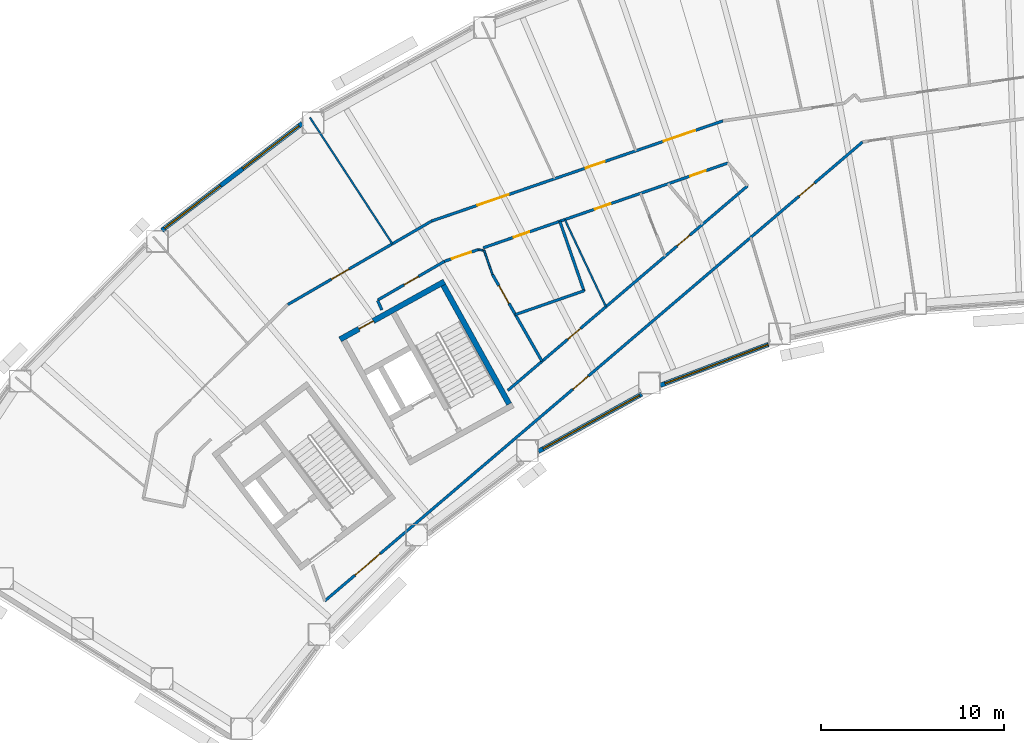
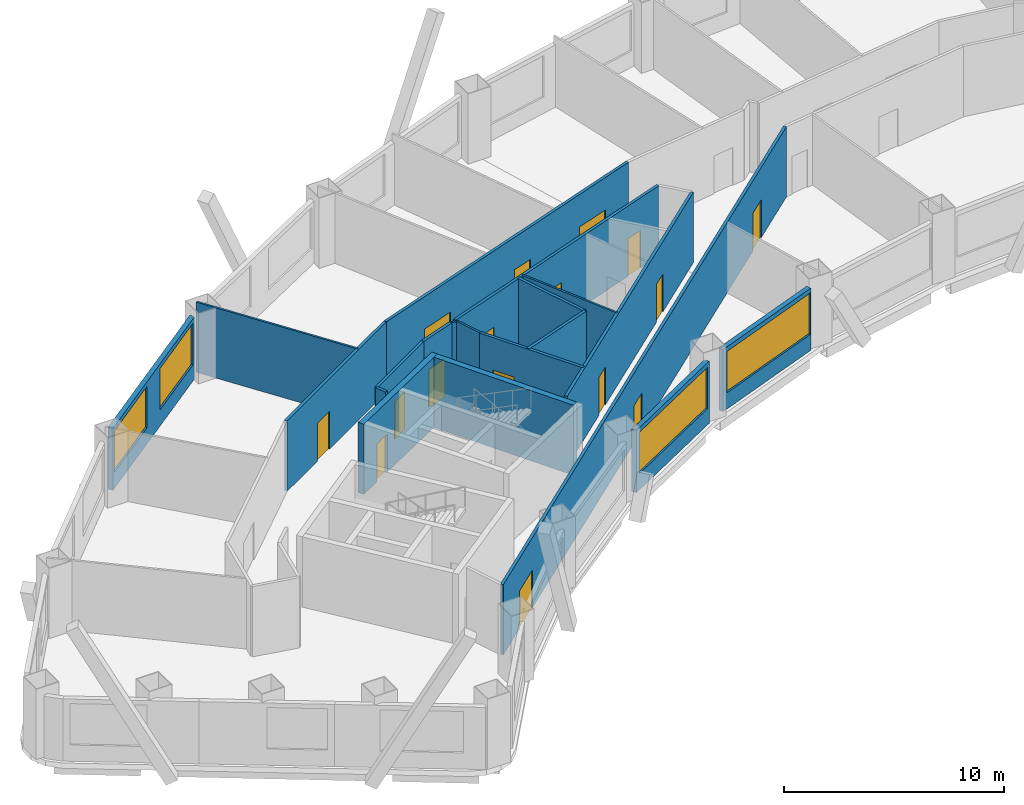
# One storey, part 4 of 12: 20 walls, 16 doors, 4 windows, 20 openings.
"""IFC4 building model written with IfcOpenShell, lengths in metres."""

from ifc_helpers import new_model, si_unit, direction, frame, frame_2d, origin, place, context, subcontext, project, spatial, rectangle, extrude, material, layer, layer_set, type_object, element, fill, save


model = new_model("IFC4")

# Units and contexts
model_context = context("Model", 3, precision=1e-05, world=origin(), true_north=direction((0.0, 1.0)))
body_context = subcontext(model_context, "Body", "Model", "MODEL_VIEW")
ifc_project = project(units=[si_unit("LENGTHUNIT", "METRE"), si_unit("AREAUNIT", "SQUARE_METRE"), si_unit("VOLUMEUNIT", "CUBIC_METRE"), si_unit("PLANEANGLEUNIT", "RADIAN"), si_unit("MASSUNIT", "GRAM", prefix="KILO")], contexts=[model_context])

# Site, building, storey
site_placement = place(None, origin())
site = spatial("IfcSite", under=ifc_project, at=site_placement, CompositionType="ELEMENT")
building_placement = place(site_placement, origin())
building = spatial("IfcBuilding", under=site, at=building_placement, Name="Tuul Gate Civic Tower", CompositionType="ELEMENT")
storey_placement = place(building_placement, frame((0.0, 0.0, 73.800048828125)))
storey = spatial("IfcBuildingStorey", under=building, at=storey_placement, Name="Level 16", CompositionType="ELEMENT", Elevation=73.800048828125)

# Wall, opening, door
ifc_material_1 = material(Name="Concrete C50/60", Category="concrete")
ifc_layer_1 = layer(ifc_material_1, 0.300048828125)
ifc_layer_set_1 = layer_set([ifc_layer_1], Name="Concrete C50/60")
wall_type_1 = type_object("IfcWallType", Name="Core wall C50/60", PredefinedType="SHEAR", material=ifc_layer_set_1)
wall_1_placement = place(storey_placement, frame((-28.4443359375, -1.98095703125, 0.0), z_axis=(0.0, 0.0, 1.0), x_axis=(-0.874629909008, -0.484791215132, 0.0)))
wall_1 = element("IfcWall", 1, at=wall_1_placement, inside=storey, type_object=wall_type_1, Name="Core wall", PredefinedType="SHEAR", context=body_context, shape_type="SweptSolid", body=[
    extrude(rectangle(XDim=6.5, YDim=0.300048828125, at=frame_2d((3.25, 0.0))), origin(), (0.0, 0.0, 1.0), 3.89990234375),
])
opening_1_placement = place(wall_1_placement, frame((4.425048828125, 0.0, 0.0)))
opening_1 = element("IfcOpeningElement", 2, at=opening_1_placement, cuts=wall_1, Name="Opening E-D37", PredefinedType="OPENING", context=body_context, shape_type="SweptSolid", body=[
    extrude(rectangle(XDim=0.89990234375, YDim=2.10009765625, at=frame_2d((0.449951171875, 1.050048828125))), frame((0.0, 0.16015625, 0.0), z_axis=(0.0, -1.0, 0.0), x_axis=(1.0, 0.0, 0.0)), (0.0, 0.0, 1.0), 0.320068359375),
])
ifc_material_2 = material(Name="Timber door leaf", Category="wood")
door_type_1 = type_object("IfcDoorType", Name="Door D09", OperationType="NOTDEFINED", PredefinedType="DOOR", material=ifc_material_2)
door_1_placement = place(opening_1_placement, origin())
door_1 = element("IfcDoor", 3, at=door_1_placement, inside=storey, type_object=door_type_1, Name="Door E-D37", OperationType="SINGLE_SWING_LEFT", OverallHeight=2.10009765625, OverallWidth=0.89990234375, PredefinedType="DOOR", context=body_context, shape_type="SweptSolid", body=[
    extrude(rectangle(XDim=0.89990234375, YDim=2.10009765625, at=frame_2d((0.449951171875, 1.050048828125))), frame((0.0, 0.02490234375, 0.0), z_axis=(0.0, -1.0, 0.0), x_axis=(1.0, 0.0, 0.0)), (0.0, 0.0, 1.0), 0.050048828125),
])
fill(opening_1, door_1)

# Wall
wall_2_placement = place(storey_placement, frame((-24.91552734375, -8.6572265625, 0.0), z_axis=(0.0, 0.0, 1.0), x_axis=(-0.484777133038, 0.874637714304, 0.0)))
element("IfcWall", 4, at=wall_2_placement, inside=storey, type_object=wall_type_1, Name="Core wall", PredefinedType="SHEAR", context=body_context, shape_type="SweptSolid", body=[
    extrude(rectangle(XDim=7.400146484375, YDim=0.300048828125, at=frame_2d((3.7001953125, 0.0))), origin(), (0.0, 0.0, 1.0), 3.89990234375),
])

# Wall, openings, doors
ifc_material_3 = material(Name="Gypsum board partition")
ifc_layer_2 = layer(ifc_material_3, 0.14990234375)
ifc_layer_set_2 = layer_set([ifc_layer_2], Name="Gypsum board partition")
wall_type_2 = type_object("IfcWallType", Name="Corridor wall P150", PredefinedType="PARTITIONING", material=ifc_layer_set_2)
wall_3_placement = place(storey_placement, frame((-24.98388671875, -7.9140625, 0.0), z_axis=(0.0, 0.0, 1.0), x_axis=(0.76064807298, 0.649164469971, 0.0)))
wall_3 = element("IfcWall", 5, at=wall_3_placement, inside=storey, type_object=wall_type_2, Name="p032", PredefinedType="PARTITIONING", context=body_context, shape_type="SweptSolid", body=[
    extrude(rectangle(XDim=17.1689453125, YDim=0.14990234375, at=frame_2d((8.58447265625, 0.0))), origin(), (0.0, 0.0, 1.0), 3.89990234375),
])
opening_2_placement = place(wall_3_placement, frame((12.131591796875, 0.0, 0.0)))
opening_2 = element("IfcOpeningElement", 6, at=opening_2_placement, cuts=wall_3, Name="Opening E-D27", PredefinedType="OPENING", context=body_context, shape_type="SweptSolid", body=[
    extrude(rectangle(XDim=0.89990234375, YDim=2.10009765625, at=frame_2d((0.449951171875, 1.050048828125))), frame((0.0, 0.0849609375, 0.0), z_axis=(0.0, -1.0, 0.0), x_axis=(1.0, 0.0, 0.0)), (0.0, 0.0, 1.0), 0.169921875),
])
opening_3_placement = place(wall_3_placement, frame((4.291748046875, 0.0, 0.0)))
opening_3 = element("IfcOpeningElement", 7, at=opening_3_placement, cuts=wall_3, Name="Opening E-D28", PredefinedType="OPENING", context=body_context, shape_type="SweptSolid", body=[
    extrude(rectangle(XDim=0.89990234375, YDim=2.10009765625, at=frame_2d((0.449951171875, 1.050048828125))), frame((0.0, 0.0849609375, 0.0), z_axis=(0.0, -1.0, 0.0), x_axis=(1.0, 0.0, 0.0)), (0.0, 0.0, 1.0), 0.169921875),
])
door_2_placement = place(opening_2_placement, origin())
door_2 = element("IfcDoor", 8, at=door_2_placement, inside=storey, type_object=door_type_1, Name="Door E-D27", OperationType="SINGLE_SWING_LEFT", OverallHeight=2.10009765625, OverallWidth=0.89990234375, PredefinedType="DOOR", context=body_context, shape_type="SweptSolid", body=[
    extrude(rectangle(XDim=0.89990234375, YDim=2.10009765625, at=frame_2d((0.449951171875, 1.050048828125))), frame((0.0, 0.02490234375, 0.0), z_axis=(0.0, -1.0, 0.0), x_axis=(1.0, 0.0, 0.0)), (0.0, 0.0, 1.0), 0.050048828125),
])
fill(opening_2, door_2)
door_3_placement = place(opening_3_placement, origin())
door_3 = element("IfcDoor", 9, at=door_3_placement, inside=storey, type_object=door_type_1, Name="Door E-D28", OperationType="SINGLE_SWING_RIGHT", OverallHeight=2.10009765625, OverallWidth=0.89990234375, PredefinedType="DOOR", context=body_context, shape_type="SweptSolid", body=[
    extrude(rectangle(XDim=0.89990234375, YDim=2.10009765625, at=frame_2d((0.449951171875, 1.050048828125))), frame((0.0, 0.02490234375, 0.0), z_axis=(0.0, -1.0, 0.0), x_axis=(1.0, 0.0, 0.0)), (0.0, 0.0, 1.0), 0.050048828125),
])
fill(opening_3, door_3)

wall_4_placement = place(storey_placement, frame((-29.138427734375, 1.318115234375, 0.0), z_axis=(0.0, 0.0, 1.0), x_axis=(0.945651374617, 0.325182222276, 0.0)))
wall_4 = element("IfcWall", 10, at=wall_4_placement, inside=storey, type_object=wall_type_2, Name="p035", PredefinedType="PARTITIONING", context=body_context, shape_type="SweptSolid", body=[
    extrude(rectangle(XDim=16.7822265625, YDim=0.14990234375, at=frame_2d((8.39111328125, 0.0))), origin(), (0.0, 0.0, 1.0), 3.89990234375),
])
opening_4_placement = place(wall_4_placement, frame((13.3759765625, 0.0, 0.0)))
opening_4 = element("IfcOpeningElement", 11, at=opening_4_placement, cuts=wall_4, Name="Opening E-D10", PredefinedType="OPENING", context=body_context, shape_type="SweptSolid", body=[
    extrude(rectangle(XDim=1.800048828125, YDim=2.10009765625, at=frame_2d((0.89990234375, 1.050048828125))), frame((0.0, 0.0849609375, 0.0), z_axis=(0.0, -1.0, 0.0), x_axis=(1.0, 0.0, 0.0)), (0.0, 0.0, 1.0), 0.169921875),
])
opening_5_placement = place(wall_4_placement, frame((8.877197265625, 0.0, 0.0)))
opening_5 = element("IfcOpeningElement", 12, at=opening_5_placement, cuts=wall_4, Name="Opening E-D11", PredefinedType="OPENING", context=body_context, shape_type="SweptSolid", body=[
    extrude(rectangle(XDim=1.10009765625, YDim=2.10009765625, at=frame_2d((0.550048828125, 1.050048828125))), frame((0.0, 0.0849609375, 0.0), z_axis=(0.0, -1.0, 0.0), x_axis=(1.0, 0.0, 0.0)), (0.0, 0.0, 1.0), 0.169921875),
])
opening_6_placement = place(wall_4_placement, frame((2.642333984375, 0.0, 0.0)))
opening_6 = element("IfcOpeningElement", 13, at=opening_6_placement, cuts=wall_4, Name="Opening E-D12", PredefinedType="OPENING", context=body_context, shape_type="SweptSolid", body=[
    extrude(rectangle(XDim=1.800048828125, YDim=2.10009765625, at=frame_2d((0.89990234375, 1.050048828125))), frame((0.0, 0.0849609375, 0.0), z_axis=(0.0, -1.0, 0.0), x_axis=(1.0, 0.0, 0.0)), (0.0, 0.0, 1.0), 0.169921875),
])
ifc_material_4 = material(Name="Timber door leaf", Category="wood")
door_type_2 = type_object("IfcDoorType", Name="Door D11", OperationType="NOTDEFINED", PredefinedType="DOOR", material=ifc_material_4)
door_4_placement = place(opening_5_placement, origin())
door_4 = element("IfcDoor", 14, at=door_4_placement, inside=storey, type_object=door_type_2, Name="Door E-D11", OperationType="SINGLE_SWING_RIGHT", OverallHeight=2.10009765625, OverallWidth=1.10009765625, PredefinedType="DOOR", context=body_context, shape_type="SweptSolid", body=[
    extrude(rectangle(XDim=1.10009765625, YDim=2.10009765625, at=frame_2d((0.550048828125, 1.050048828125))), frame((0.0, 0.02490234375, 0.0), z_axis=(0.0, -1.0, 0.0), x_axis=(1.0, 0.0, 0.0)), (0.0, 0.0, 1.0), 0.050048828125),
])
fill(opening_5, door_4)
ifc_material_5 = material(Name="Timber door leaf, double", Category="wood")
door_type_3 = type_object("IfcDoorType", Name="Door D18", OperationType="DOUBLE_DOOR_SINGLE_SWING", PredefinedType="DOOR", material=ifc_material_5)
door_5_placement = place(opening_4_placement, origin())
door_5 = element("IfcDoor", 15, at=door_5_placement, inside=storey, type_object=door_type_3, Name="Door E-D10", OperationType="DOUBLE_DOOR_SINGLE_SWING", OverallHeight=2.10009765625, OverallWidth=1.800048828125, PredefinedType="DOOR", context=body_context, shape_type="SweptSolid", body=[
    extrude(rectangle(XDim=1.800048828125, YDim=2.10009765625, at=frame_2d((0.89990234375, 1.050048828125))), frame((0.0, 0.02490234375, 0.0), z_axis=(0.0, -1.0, 0.0), x_axis=(1.0, 0.0, 0.0)), (0.0, 0.0, 1.0), 0.050048828125),
])
fill(opening_4, door_5)
door_6_placement = place(opening_6_placement, origin())
door_6 = element("IfcDoor", 16, at=door_6_placement, inside=storey, type_object=door_type_3, Name="Door E-D12", OperationType="DOUBLE_DOOR_SINGLE_SWING", OverallHeight=2.10009765625, OverallWidth=1.800048828125, PredefinedType="DOOR", context=body_context, shape_type="SweptSolid", body=[
    extrude(rectangle(XDim=1.800048828125, YDim=2.10009765625, at=frame_2d((0.89990234375, 1.050048828125))), frame((0.0, 0.02490234375, 0.0), z_axis=(0.0, -1.0, 0.0), x_axis=(1.0, 0.0, 0.0)), (0.0, 0.0, 1.0), 0.050048828125),
])
fill(opening_6, door_6)

# Wall, opening, door
wall_5_placement = place(storey_placement, frame((-36.976806640625, -3.2333984375, 0.0), z_axis=(0.0, 0.0, 1.0), x_axis=(0.864782531792, 0.502146564967, 0.0)))
wall_5 = element("IfcWall", 17, at=wall_5_placement, inside=storey, type_object=wall_type_2, Name="p038", PredefinedType="PARTITIONING", context=body_context, shape_type="SweptSolid", body=[
    extrude(rectangle(XDim=9.063232421875, YDim=0.14990234375, at=frame_2d((4.53173828125, 0.0))), origin(), (0.0, 0.0, 1.0), 3.89990234375),
])
opening_7_placement = place(wall_5_placement, frame((2.744384765625, 0.0, 0.0)))
opening_7 = element("IfcOpeningElement", 18, at=opening_7_placement, cuts=wall_5, Name="Opening E-D13", PredefinedType="OPENING", context=body_context, shape_type="SweptSolid", body=[
    extrude(rectangle(XDim=1.10009765625, YDim=2.10009765625, at=frame_2d((0.550048828125, 1.050048828125))), frame((0.0, 0.0849609375, 0.0), z_axis=(0.0, -1.0, 0.0), x_axis=(1.0, 0.0, 0.0)), (0.0, 0.0, 1.0), 0.169921875),
])
door_7_placement = place(opening_7_placement, origin())
door_7 = element("IfcDoor", 19, at=door_7_placement, inside=storey, type_object=door_type_2, Name="Door E-D13", OperationType="SINGLE_SWING_RIGHT", OverallHeight=2.10009765625, OverallWidth=1.10009765625, PredefinedType="DOOR", context=body_context, shape_type="SweptSolid", body=[
    extrude(rectangle(XDim=1.10009765625, YDim=2.10009765625, at=frame_2d((0.550048828125, 1.050048828125))), frame((0.0, 0.02490234375, 0.0), z_axis=(0.0, -1.0, 0.0), x_axis=(1.0, 0.0, 0.0)), (0.0, 0.0, 1.0), 0.050048828125),
])
fill(opening_7, door_7)

# Wall, openings, doors
wall_6_placement = place(storey_placement, frame((-34.96142578125, -19.38720703125, 0.0), z_axis=(0.0, 0.0, 1.0), x_axis=(0.760648138959, 0.649164392661, 0.0)))
wall_6 = element("IfcWall", 20, at=wall_6_placement, inside=storey, type_object=wall_type_2, Name="p053", PredefinedType="PARTITIONING", context=body_context, shape_type="SweptSolid", body=[
    extrude(rectangle(XDim=38.529541015625, YDim=0.14990234375, at=frame_2d((19.2646484375, 0.0))), origin(), (0.0, 0.0, 1.0), 3.89990234375),
])
opening_8_placement = place(wall_6_placement, frame((33.977294921875, 0.0, 0.0)))
opening_8 = element("IfcOpeningElement", 21, at=opening_8_placement, cuts=wall_6, Name="Opening E-D17", PredefinedType="OPENING", context=body_context, shape_type="SweptSolid", body=[
    extrude(rectangle(XDim=1.10009765625, YDim=2.10009765625, at=frame_2d((0.550048828125, 1.050048828125))), frame((0.0, 0.0849609375, 0.0), z_axis=(0.0, -1.0, 0.0), x_axis=(1.0, 0.0, 0.0)), (0.0, 0.0, 1.0), 0.169921875),
])
opening_9_placement = place(wall_6_placement, frame((17.776611328125, 0.0, 0.0)))
opening_9 = element("IfcOpeningElement", 22, at=opening_9_placement, cuts=wall_6, Name="Opening E-D18", PredefinedType="OPENING", context=body_context, shape_type="SweptSolid", body=[
    extrude(rectangle(XDim=1.10009765625, YDim=2.10009765625, at=frame_2d((0.550048828125, 1.050048828125))), frame((0.0, 0.0849609375, 0.0), z_axis=(0.0, -1.0, 0.0), x_axis=(1.0, 0.0, 0.0)), (0.0, 0.0, 1.0), 0.169921875),
])
opening_10_placement = place(wall_6_placement, frame((2.1640625, 0.0, 0.0)))
opening_10 = element("IfcOpeningElement", 23, at=opening_10_placement, cuts=wall_6, Name="Opening E-D19", PredefinedType="OPENING", context=body_context, shape_type="SweptSolid", body=[
    extrude(rectangle(XDim=1.800048828125, YDim=2.10009765625, at=frame_2d((0.89990234375, 1.050048828125))), frame((0.0, 0.0849609375, 0.0), z_axis=(0.0, -1.0, 0.0), x_axis=(1.0, 0.0, 0.0)), (0.0, 0.0, 1.0), 0.169921875),
])
door_8_placement = place(opening_8_placement, frame((1.10009765625, 0.0, 0.0), z_axis=(0.0, 0.0, 1.0), x_axis=(-1.0, 0.0, 0.0)))
door_8 = element("IfcDoor", 24, at=door_8_placement, inside=storey, type_object=door_type_2, Name="Door E-D17", OperationType="SINGLE_SWING_LEFT", OverallHeight=2.10009765625, OverallWidth=1.10009765625, PredefinedType="DOOR", context=body_context, shape_type="SweptSolid", body=[
    extrude(rectangle(XDim=1.10009765625, YDim=2.10009765625, at=frame_2d((0.550048828125, 1.050048828125))), frame((0.0, 0.02490234375, 0.0), z_axis=(0.0, -1.0, 0.0), x_axis=(1.0, 0.0, 0.0)), (0.0, 0.0, 1.0), 0.050048828125),
])
fill(opening_8, door_8)
door_9_placement = place(opening_9_placement, frame((1.10009765625, 0.0, 0.0), z_axis=(0.0, 0.0, 1.0), x_axis=(-1.0, 0.0, 0.0)))
door_9 = element("IfcDoor", 25, at=door_9_placement, inside=storey, type_object=door_type_2, Name="Door E-D18", OperationType="SINGLE_SWING_LEFT", OverallHeight=2.10009765625, OverallWidth=1.10009765625, PredefinedType="DOOR", context=body_context, shape_type="SweptSolid", body=[
    extrude(rectangle(XDim=1.10009765625, YDim=2.10009765625, at=frame_2d((0.550048828125, 1.050048828125))), frame((0.0, 0.02490234375, 0.0), z_axis=(0.0, -1.0, 0.0), x_axis=(1.0, 0.0, 0.0)), (0.0, 0.0, 1.0), 0.050048828125),
])
fill(opening_9, door_9)
door_10_placement = place(opening_10_placement, frame((1.800048828125, 0.0, 0.0), z_axis=(0.0, 0.0, 1.0), x_axis=(-1.0, 0.0, 0.0)))
door_10 = element("IfcDoor", 26, at=door_10_placement, inside=storey, type_object=door_type_3, Name="Door E-D19", OperationType="DOUBLE_DOOR_SINGLE_SWING", OverallHeight=2.10009765625, OverallWidth=1.800048828125, PredefinedType="DOOR", context=body_context, shape_type="SweptSolid", body=[
    extrude(rectangle(XDim=1.800048828125, YDim=2.10009765625, at=frame_2d((0.900146484375, 1.050048828125))), frame((0.0, 0.02490234375, 0.0), z_axis=(0.0, -1.0, 0.0), x_axis=(1.0, 0.0, 0.0)), (0.0, 0.0, 1.0), 0.050048828125),
])
fill(opening_10, door_10)

# Wall, opening, door
wall_7_placement = place(storey_placement, frame((-28.43408203125, -0.87451171875, 0.0), z_axis=(0.0, 0.0, 1.0), x_axis=(0.944764559764, 0.327749792698, 0.0)))
wall_7 = element("IfcWall", 27, at=wall_7_placement, inside=storey, type_object=wall_type_2, Name="p069", PredefinedType="PARTITIONING", context=body_context, shape_type="SweptSolid", body=[
    extrude(rectangle(XDim=1.941162109375, YDim=0.14990234375, at=frame_2d((0.970703125, 0.0))), origin(), (0.0, 0.0, 1.0), 3.89990234375),
])
opening_11_placement = place(wall_7_placement, frame((0.420654296875, 0.0, 0.0)))
opening_11 = element("IfcOpeningElement", 28, at=opening_11_placement, cuts=wall_7, Name="Opening E-D35", PredefinedType="OPENING", context=body_context, shape_type="SweptSolid", body=[
    extrude(rectangle(XDim=1.10009765625, YDim=2.10009765625, at=frame_2d((0.550048828125, 1.050048828125))), frame((0.0, 0.0849609375, 0.0), z_axis=(0.0, -1.0, 0.0), x_axis=(1.0, 0.0, 0.0)), (0.0, 0.0, 1.0), 0.169921875),
])
door_11_placement = place(opening_11_placement, frame((1.10009765625, 0.0, 0.0), z_axis=(0.0, 0.0, 1.0), x_axis=(-1.0, 0.0, 0.0)))
door_11 = element("IfcDoor", 29, at=door_11_placement, inside=storey, type_object=door_type_2, Name="Door E-D35", OperationType="SINGLE_SWING_LEFT", OverallHeight=2.10009765625, OverallWidth=1.10009765625, PredefinedType="DOOR", context=body_context, shape_type="SweptSolid", body=[
    extrude(rectangle(XDim=1.10009765625, YDim=2.10009765625, at=frame_2d((0.550048828125, 1.050048828125))), frame((0.0, 0.02490234375, 0.0), z_axis=(0.0, -1.0, 0.0), x_axis=(1.0, 0.0, 0.0)), (0.0, 0.0, 1.0), 0.050048828125),
])
fill(opening_11, door_11)

# Wall, openings, doors
wall_8_placement = place(storey_placement, frame((-26.32861328125, -0.144287109375, 0.0), z_axis=(0.0, 0.0, 1.0), x_axis=(0.944811790796, 0.327613613839, 0.0)))
wall_8 = element("IfcWall", 30, at=wall_8_placement, inside=storey, type_object=wall_type_2, Name="p070", PredefinedType="PARTITIONING", context=body_context, shape_type="SweptSolid", body=[
    extrude(rectangle(XDim=14.1171875, YDim=0.14990234375, at=frame_2d((7.05859375, 0.0))), origin(), (0.0, 0.0, 1.0), 3.89990234375),
])
opening_12_placement = place(wall_8_placement, frame((11.9384765625, 0.0, 0.0)))
opening_12 = element("IfcOpeningElement", 31, at=opening_12_placement, cuts=wall_8, Name="Opening E-D22", PredefinedType="OPENING", context=body_context, shape_type="SweptSolid", body=[
    extrude(rectangle(XDim=0.89990234375, YDim=2.10009765625, at=frame_2d((0.449951171875, 1.050048828125))), frame((0.0, 0.0849609375, 0.0), z_axis=(0.0, -1.0, 0.0), x_axis=(1.0, 0.0, 0.0)), (0.0, 0.0, 1.0), 0.169921875),
])
opening_13_placement = place(wall_8_placement, frame((6.44091796875, 0.0, 0.0)))
opening_13 = element("IfcOpeningElement", 32, at=opening_13_placement, cuts=wall_8, Name="Opening E-D23", PredefinedType="OPENING", context=body_context, shape_type="SweptSolid", body=[
    extrude(rectangle(XDim=0.89990234375, YDim=2.10009765625, at=frame_2d((0.449951171875, 1.050048828125))), frame((0.0, 0.0849609375, 0.0), z_axis=(0.0, -1.0, 0.0), x_axis=(1.0, 0.0, 0.0)), (0.0, 0.0, 1.0), 0.169921875),
])
opening_14_placement = place(wall_8_placement, frame((1.760009765625, 0.0, 0.0)))
opening_14 = element("IfcOpeningElement", 33, at=opening_14_placement, cuts=wall_8, Name="Opening E-D24", PredefinedType="OPENING", context=body_context, shape_type="SweptSolid", body=[
    extrude(rectangle(XDim=0.89990234375, YDim=2.10009765625, at=frame_2d((0.449951171875, 1.050048828125))), frame((0.0, 0.0849609375, 0.0), z_axis=(0.0, -1.0, 0.0), x_axis=(1.0, 0.0, 0.0)), (0.0, 0.0, 1.0), 0.169921875),
])
door_12_placement = place(opening_12_placement, origin())
door_12 = element("IfcDoor", 34, at=door_12_placement, inside=storey, type_object=door_type_1, Name="Door E-D22", OperationType="SINGLE_SWING_RIGHT", OverallHeight=2.10009765625, OverallWidth=0.89990234375, PredefinedType="DOOR", context=body_context, shape_type="SweptSolid", body=[
    extrude(rectangle(XDim=0.89990234375, YDim=2.10009765625, at=frame_2d((0.449951171875, 1.050048828125))), frame((0.0, 0.02490234375, 0.0), z_axis=(0.0, -1.0, 0.0), x_axis=(1.0, 0.0, 0.0)), (0.0, 0.0, 1.0), 0.050048828125),
])
fill(opening_12, door_12)
door_13_placement = place(opening_13_placement, frame((0.89990234375, 0.0, 0.0), z_axis=(0.0, 0.0, 1.0), x_axis=(-1.0, 0.0, 0.0)))
door_13 = element("IfcDoor", 35, at=door_13_placement, inside=storey, type_object=door_type_1, Name="Door E-D23", OperationType="SINGLE_SWING_LEFT", OverallHeight=2.10009765625, OverallWidth=0.89990234375, PredefinedType="DOOR", context=body_context, shape_type="SweptSolid", body=[
    extrude(rectangle(XDim=0.89990234375, YDim=2.10009765625, at=frame_2d((0.449951171875, 1.050048828125))), frame((0.0, 0.02490234375, 0.0), z_axis=(0.0, -1.0, 0.0), x_axis=(1.0, 0.0, 0.0)), (0.0, 0.0, 1.0), 0.050048828125),
])
fill(opening_13, door_13)
door_14_placement = place(opening_14_placement, frame((0.89990234375, 0.0, 0.0), z_axis=(0.0, 0.0, 1.0), x_axis=(-1.0, 0.0, 0.0)))
door_14 = element("IfcDoor", 36, at=door_14_placement, inside=storey, type_object=door_type_1, Name="Door E-D24", OperationType="SINGLE_SWING_LEFT", OverallHeight=2.10009765625, OverallWidth=0.89990234375, PredefinedType="DOOR", context=body_context, shape_type="SweptSolid", body=[
    extrude(rectangle(XDim=0.89990234375, YDim=2.10009765625, at=frame_2d((0.449951171875, 1.050048828125))), frame((0.0, 0.02490234375, 0.0), z_axis=(0.0, -1.0, 0.0), x_axis=(1.0, 0.0, 0.0)), (0.0, 0.0, 1.0), 0.050048828125),
])
fill(opening_14, door_14)

# Walls
wall_9_placement = place(storey_placement, frame((-22.15234375, 1.303466796875, 0.0), z_axis=(0.0, 0.0, 1.0), x_axis=(0.327670095688, -0.944792203816, 0.0)))
element("IfcWall", 37, at=wall_9_placement, inside=storey, type_object=wall_type_2, Name="p076", PredefinedType="PARTITIONING", context=body_context, shape_type="SweptSolid", body=[
    extrude(rectangle(XDim=4.031005859375, YDim=0.14990234375, at=frame_2d((2.015625, 0.0))), origin(), (0.0, 0.0, 1.0), 3.89990234375),
])
wall_10_placement = place(storey_placement, frame((-24.5908203125, -3.78662109375, 0.0), z_axis=(0.0, 0.0, 1.0), x_axis=(0.944785976985, 0.32768804936, 0.0)))
element("IfcWall", 38, at=wall_10_placement, inside=storey, type_object=wall_type_2, Name="p077", PredefinedType="PARTITIONING", context=body_context, shape_type="SweptSolid", body=[
    extrude(rectangle(XDim=3.99267578125, YDim=0.14990234375, at=frame_2d((1.996337890625, 0.0))), origin(), (0.0, 0.0, 1.0), 3.89990234375),
])

# Wall, opening, door
wall_11_placement = place(storey_placement, frame((-25.826416015625, -1.592041015625, 0.0), z_axis=(0.0, 0.0, 1.0), x_axis=(0.49620163968, -0.868207309793, 0.0)))
wall_11 = element("IfcWall", 39, at=wall_11_placement, inside=storey, type_object=wall_type_2, Name="p078", PredefinedType="PARTITIONING", context=body_context, shape_type="SweptSolid", body=[
    extrude(rectangle(XDim=5.451171875, YDim=0.14990234375, at=frame_2d((2.7255859375, 0.0))), origin(), (0.0, 0.0, 1.0), 3.89990234375),
])
opening_15_placement = place(wall_11_placement, frame((0.710693359375, 0.0, 0.0)))
opening_15 = element("IfcOpeningElement", 40, at=opening_15_placement, cuts=wall_11, Name="Opening E-D34", PredefinedType="OPENING", context=body_context, shape_type="SweptSolid", body=[
    extrude(rectangle(XDim=1.10009765625, YDim=2.10009765625, at=frame_2d((0.550048828125, 1.050048828125))), frame((0.0, 0.0849609375, 0.0), z_axis=(0.0, -1.0, 0.0), x_axis=(1.0, 0.0, 0.0)), (0.0, 0.0, 1.0), 0.169921875),
])
door_15_placement = place(opening_15_placement, frame((1.10009765625, 0.0, 0.0), z_axis=(0.0, 0.0, 1.0), x_axis=(-1.0, 0.0, 0.0)))
door_15 = element("IfcDoor", 41, at=door_15_placement, inside=storey, type_object=door_type_2, Name="Door E-D34", OperationType="SINGLE_SWING_LEFT", OverallHeight=2.10009765625, OverallWidth=1.10009765625, PredefinedType="DOOR", context=body_context, shape_type="SweptSolid", body=[
    extrude(rectangle(XDim=1.10009765625, YDim=2.10009765625, at=frame_2d((0.550048828125, 1.050048828125))), frame((0.0, 0.02490234375, 0.0), z_axis=(0.0, -1.0, 0.0), x_axis=(1.0, 0.0, 0.0)), (0.0, 0.0, 1.0), 0.050048828125),
])
fill(opening_15, door_15)

# Wall
wall_12_placement = place(storey_placement, frame((-32.08203125, -3.013671875, 0.0), z_axis=(0.0, 0.0, 1.0), x_axis=(0.405211430206, -0.914223001696, 0.0)))
element("IfcWall", 42, at=wall_12_placement, inside=storey, type_object=wall_type_2, Name="p080", PredefinedType="PARTITIONING", context=body_context, shape_type="SweptSolid", body=[
    extrude(rectangle(XDim=0.562255859375, YDim=0.14990234375, at=frame_2d((0.28125, 0.0))), origin(), (0.0, 0.0, 1.0), 3.89990234375),
])

# Wall, opening, door
wall_13_placement = place(storey_placement, frame((-32.073974609375, -2.98828125, 0.0), z_axis=(0.0, 0.0, 1.0), x_axis=(0.864781627079, 0.502148123035, 0.0)))
wall_13 = element("IfcWall", 43, at=wall_13_placement, inside=storey, type_object=wall_type_2, Name="p081", PredefinedType="PARTITIONING", context=body_context, shape_type="SweptSolid", body=[
    extrude(rectangle(XDim=4.205078125, YDim=0.14990234375, at=frame_2d((2.1025390625, 0.0))), origin(), (0.0, 0.0, 1.0), 3.89990234375),
])
opening_16_placement = place(wall_13_placement, frame((1.652587890625, 0.0, 0.0)))
opening_16 = element("IfcOpeningElement", 44, at=opening_16_placement, cuts=wall_13, Name="Opening E-D25", PredefinedType="OPENING", context=body_context, shape_type="SweptSolid", body=[
    extrude(rectangle(XDim=0.89990234375, YDim=2.10009765625, at=frame_2d((0.449951171875, 1.050048828125))), frame((0.0, 0.0849609375, 0.0), z_axis=(0.0, -1.0, 0.0), x_axis=(1.0, 0.0, 0.0)), (0.0, 0.0, 1.0), 0.169921875),
])
door_16_placement = place(opening_16_placement, origin())
door_16 = element("IfcDoor", 45, at=door_16_placement, inside=storey, type_object=door_type_1, Name="Door E-D25", OperationType="SINGLE_SWING_RIGHT", OverallHeight=2.10009765625, OverallWidth=0.89990234375, PredefinedType="DOOR", context=body_context, shape_type="SweptSolid", body=[
    extrude(rectangle(XDim=0.89990234375, YDim=2.10009765625, at=frame_2d((0.449951171875, 1.050048828125))), frame((0.0, 0.02490234375, 0.0), z_axis=(0.0, -1.0, 0.0), x_axis=(1.0, 0.0, 0.0)), (0.0, 0.0, 1.0), 0.050048828125),
])
fill(opening_16, door_16)

# Wall, openings, windows
ifc_material_6 = material(Name="Precast concrete C40/50", Category="concrete")
ifc_layer_3 = layer(ifc_material_6, 0.25)
ifc_layer_set_3 = layer_set([ifc_layer_3], Name="Precast concrete C40/50")
wall_type_3 = type_object("IfcWallType", Name="External wall", PredefinedType="STANDARD", material=ifc_layer_set_3)
wall_14_placement = place(storey_placement, frame((-36.194091796875, 6.635986328125, 0.0), z_axis=(0.0, 0.0, 1.0), x_axis=(-0.795611941646, -0.605806601409, 0.0)))
wall_14 = element("IfcWall", 46, at=wall_14_placement, inside=storey, type_object=wall_type_3, Name="External wall", PredefinedType="STANDARD", context=body_context, shape_type="SweptSolid", body=[
    extrude(rectangle(XDim=9.607177734375, YDim=0.25, at=frame_2d((4.8037109375, 0.0))), origin(), (0.0, 0.0, 1.0), 3.449951171875),
])
opening_17_placement = place(wall_14_placement, frame((0.221923828125, 0.0, 0.89990234375)))
opening_17 = element("IfcOpeningElement", 47, at=opening_17_placement, cuts=wall_14, Name="Opening W22", PredefinedType="OPENING", context=body_context, shape_type="SweptSolid", body=[
    extrude(rectangle(XDim=3.85009765625, YDim=2.300048828125, at=frame_2d((1.925048828125, 1.14990234375))), frame((0.0, 0.135009765625, 0.0), z_axis=(0.0, -1.0, 0.0), x_axis=(1.0, 0.0, 0.0)), (0.0, 0.0, 1.0), 0.27001953125),
])
opening_18_placement = place(wall_14_placement, frame((5.59326171875, 0.0, 0.89990234375)))
opening_18 = element("IfcOpeningElement", 48, at=opening_18_placement, cuts=wall_14, Name="Opening W22", PredefinedType="OPENING", context=body_context, shape_type="SweptSolid", body=[
    extrude(rectangle(XDim=3.85009765625, YDim=2.300048828125, at=frame_2d((1.925048828125, 1.14990234375))), frame((0.0, 0.135009765625, 0.0), z_axis=(0.0, -1.0, 0.0), x_axis=(1.0, 0.0, 0.0)), (0.0, 0.0, 1.0), 0.27001953125),
])
ifc_material_7 = material(Name="Glass", Category="glass")
window_type_1 = type_object("IfcWindowType", Name="Window W22 3850 x 2300", PartitioningType="SINGLE_PANEL", PredefinedType="WINDOW", material=ifc_material_7)
window_1_placement = place(opening_17_placement, origin())
window_1 = element("IfcWindow", 49, at=window_1_placement, inside=storey, type_object=window_type_1, Name="Window", OverallHeight=2.300048828125, OverallWidth=3.85009765625, PartitioningType="SINGLE_PANEL", PredefinedType="WINDOW", context=body_context, shape_type="SweptSolid", body=[
    extrude(rectangle(XDim=3.85009765625, YDim=2.300048828125, at=frame_2d((1.925048828125, 1.14990234375))), frame((0.0, 0.030029296875, 0.0), z_axis=(0.0, -1.0, 0.0), x_axis=(1.0, 0.0, 0.0)), (0.0, 0.0, 1.0), 0.06005859375),
])
fill(opening_17, window_1)
window_2_placement = place(opening_18_placement, origin())
window_2 = element("IfcWindow", 50, at=window_2_placement, inside=storey, type_object=window_type_1, Name="Window", OverallHeight=2.300048828125, OverallWidth=3.85009765625, PartitioningType="SINGLE_PANEL", PredefinedType="WINDOW", context=body_context, shape_type="SweptSolid", body=[
    extrude(rectangle(XDim=3.85009765625, YDim=2.300048828125, at=frame_2d((1.925048828125, 1.14990234375))), frame((0.0, 0.030029296875, 0.0), z_axis=(0.0, -1.0, 0.0), x_axis=(1.0, 0.0, 0.0)), (0.0, 0.0, 1.0), 0.06005859375),
])
fill(opening_18, window_2)

# Wall, opening, window
wall_15_placement = place(storey_placement, frame((-23.318115234375, -11.23583984375, 0.0), z_axis=(0.0, 0.0, 1.0), x_axis=(0.874622293174, 0.484804954888, 0.0)))
wall_15 = element("IfcWall", 51, at=wall_15_placement, inside=storey, type_object=wall_type_3, Name="External wall", PredefinedType="STANDARD", context=body_context, shape_type="SweptSolid", body=[
    extrude(rectangle(XDim=6.433349609375, YDim=0.25, at=frame_2d((3.216796875, 0.0))), origin(), (0.0, 0.0, 1.0), 3.449951171875),
])
opening_19_placement = place(wall_15_placement, frame((0.289306640625, 0.0, 0.89990234375)))
opening_19 = element("IfcOpeningElement", 52, at=opening_19_placement, cuts=wall_15, Name="Opening W26", PredefinedType="OPENING", context=body_context, shape_type="SweptSolid", body=[
    extrude(rectangle(XDim=6.0, YDim=2.300048828125, at=frame_2d((3.0, 1.14990234375))), frame((0.0, 0.135009765625, 0.0), z_axis=(0.0, -1.0, 0.0), x_axis=(1.0, 0.0, 0.0)), (0.0, 0.0, 1.0), 0.27001953125),
])
ifc_material_8 = material(Name="Glass", Category="glass")
window_type_2 = type_object("IfcWindowType", Name="Window W26 6000 x 2300", PartitioningType="SINGLE_PANEL", PredefinedType="WINDOW", material=ifc_material_8)
window_3_placement = place(opening_19_placement, origin())
window_3 = element("IfcWindow", 53, at=window_3_placement, inside=storey, type_object=window_type_2, Name="Window", OverallHeight=2.300048828125, OverallWidth=6.0, PartitioningType="SINGLE_PANEL", PredefinedType="WINDOW", context=body_context, shape_type="SweptSolid", body=[
    extrude(rectangle(XDim=6.0, YDim=2.300048828125, at=frame_2d((3.0, 1.14990234375))), frame((0.0, 0.030029296875, 0.0), z_axis=(0.0, -1.0, 0.0), x_axis=(1.0, 0.0, 0.0)), (0.0, 0.0, 1.0), 0.06005859375),
])
fill(opening_19, window_3)

wall_16_placement = place(storey_placement, frame((-16.677978515625, -7.636962890625, 0.0), z_axis=(0.0, 0.0, 1.0), x_axis=(0.935355477431, 0.353709104829, 0.0)))
wall_16 = element("IfcWall", 54, at=wall_16_placement, inside=storey, type_object=wall_type_3, Name="External wall", PredefinedType="STANDARD", context=body_context, shape_type="SweptSolid", body=[
    extrude(rectangle(XDim=6.30859375, YDim=0.25, at=frame_2d((3.154296875, 0.0))), origin(), (0.0, 0.0, 1.0), 3.449951171875),
])
opening_20_placement = place(wall_16_placement, frame((0.276611328125, 0.0, 0.89990234375)))
opening_20 = element("IfcOpeningElement", 55, at=opening_20_placement, cuts=wall_16, Name="Opening W26", PredefinedType="OPENING", context=body_context, shape_type="SweptSolid", body=[
    extrude(rectangle(XDim=6.0, YDim=2.300048828125, at=frame_2d((3.0, 1.14990234375))), frame((0.0, 0.135009765625, 0.0), z_axis=(0.0, -1.0, 0.0), x_axis=(1.0, 0.0, 0.0)), (0.0, 0.0, 1.0), 0.27001953125),
])
window_4_placement = place(opening_20_placement, origin())
window_4 = element("IfcWindow", 56, at=window_4_placement, inside=storey, type_object=window_type_2, Name="Window", OverallHeight=2.300048828125, OverallWidth=6.0, PartitioningType="SINGLE_PANEL", PredefinedType="WINDOW", context=body_context, shape_type="SweptSolid", body=[
    extrude(rectangle(XDim=6.0, YDim=2.300048828125, at=frame_2d((3.0, 1.14990234375))), frame((0.0, 0.030029296875, 0.0), z_axis=(0.0, -1.0, 0.0), x_axis=(1.0, 0.0, 0.0)), (0.0, 0.0, 1.0), 0.06005859375),
])
fill(opening_20, window_4)

# Walls
ifc_material_9 = material(Name="Gypsum board partition")
ifc_layer_4 = layer(ifc_material_9, 0.10009765625)
ifc_layer_set_4 = layer_set([ifc_layer_4], Name="Gypsum board partition")
wall_type_4 = type_object("IfcWallType", Name="Partition P100", PredefinedType="PARTITIONING", material=ifc_layer_set_4)
wall_17_placement = place(storey_placement, frame((-35.77490234375, 6.96142578125, 0.0), z_axis=(0.0, 0.0, 1.0), x_axis=(0.546700558779, -0.837328190754, 0.0)))
element("IfcWall", 57, at=wall_17_placement, inside=storey, type_object=wall_type_4, Name="p037", PredefinedType="PARTITIONING", context=body_context, shape_type="SweptSolid", body=[
    extrude(rectangle(XDim=8.22412109375, YDim=0.10009765625, at=frame_2d((4.112060546875, 0.0))), origin(), (0.0, 0.0, 1.0), 3.89990234375),
])
wall_18_placement = place(storey_placement, frame((-21.881103515625, 1.397705078125, 0.0), z_axis=(0.0, 0.0, 1.0), x_axis=(0.426591418653, -0.904444449113, 0.0)))
element("IfcWall", 58, at=wall_18_placement, inside=storey, type_object=wall_type_4, Name="p073", PredefinedType="PARTITIONING", context=body_context, shape_type="SweptSolid", body=[
    extrude(rectangle(XDim=5.253173828125, YDim=0.10009765625, at=frame_2d((2.62646484375, 0.0))), origin(), (0.0, 0.0, 1.0), 3.89990234375),
])
wall_19_placement = place(storey_placement, frame((-25.826416015625, -1.592041015625, 0.0), z_axis=(0.0, 0.0, 1.0), x_axis=(-0.327706339818, 0.944779632953, 0.0)))
element("IfcWall", 59, at=wall_19_placement, inside=storey, type_object=wall_type_4, Name="p083", PredefinedType="PARTITIONING", context=body_context, shape_type="SweptSolid", body=[
    extrude(rectangle(XDim=1.4072265625, YDim=0.10009765625, at=frame_2d((0.70361328125, 0.0))), origin(), (0.0, 0.0, 1.0), 3.89990234375),
])
wall_20_placement = place(storey_placement, frame((-26.60009765625, -0.23828125, 0.0), z_axis=(0.0, 0.0, 1.0), x_axis=(0.988539309226, -0.150963684758, 0.0)))
element("IfcWall", 60, at=wall_20_placement, inside=storey, type_object=wall_type_4, Name="p084", PredefinedType="PARTITIONING", context=body_context, shape_type="SweptSolid", body=[
    extrude(rectangle(XDim=0.2685546875, YDim=0.10009765625, at=frame_2d((0.13427734375, 0.0))), origin(), (0.0, 0.0, 1.0), 3.89990234375),
])

save(model, "model.ifc")
